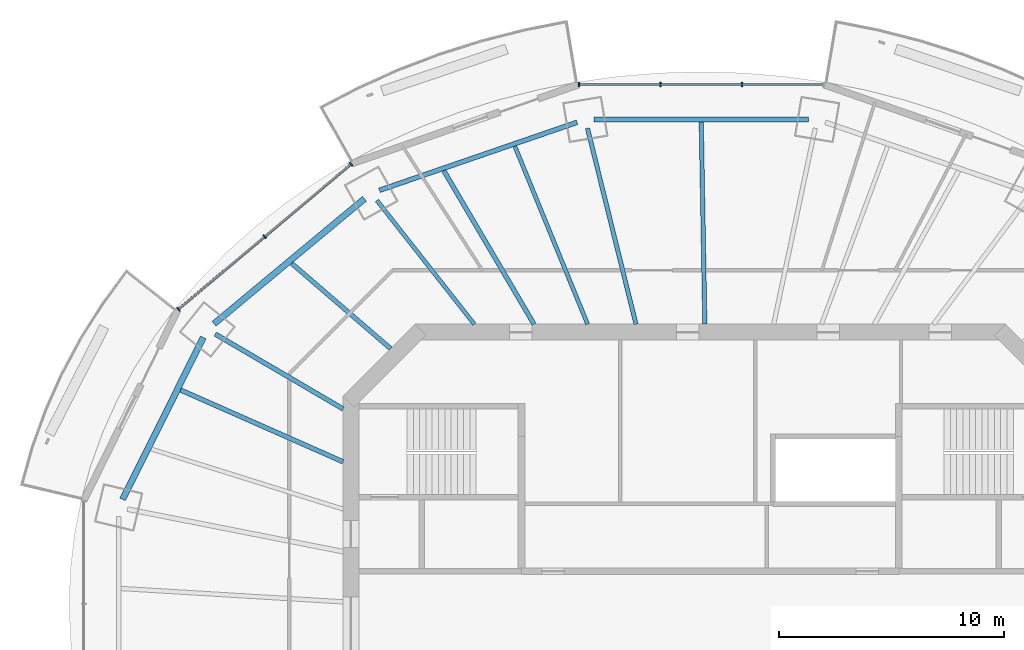
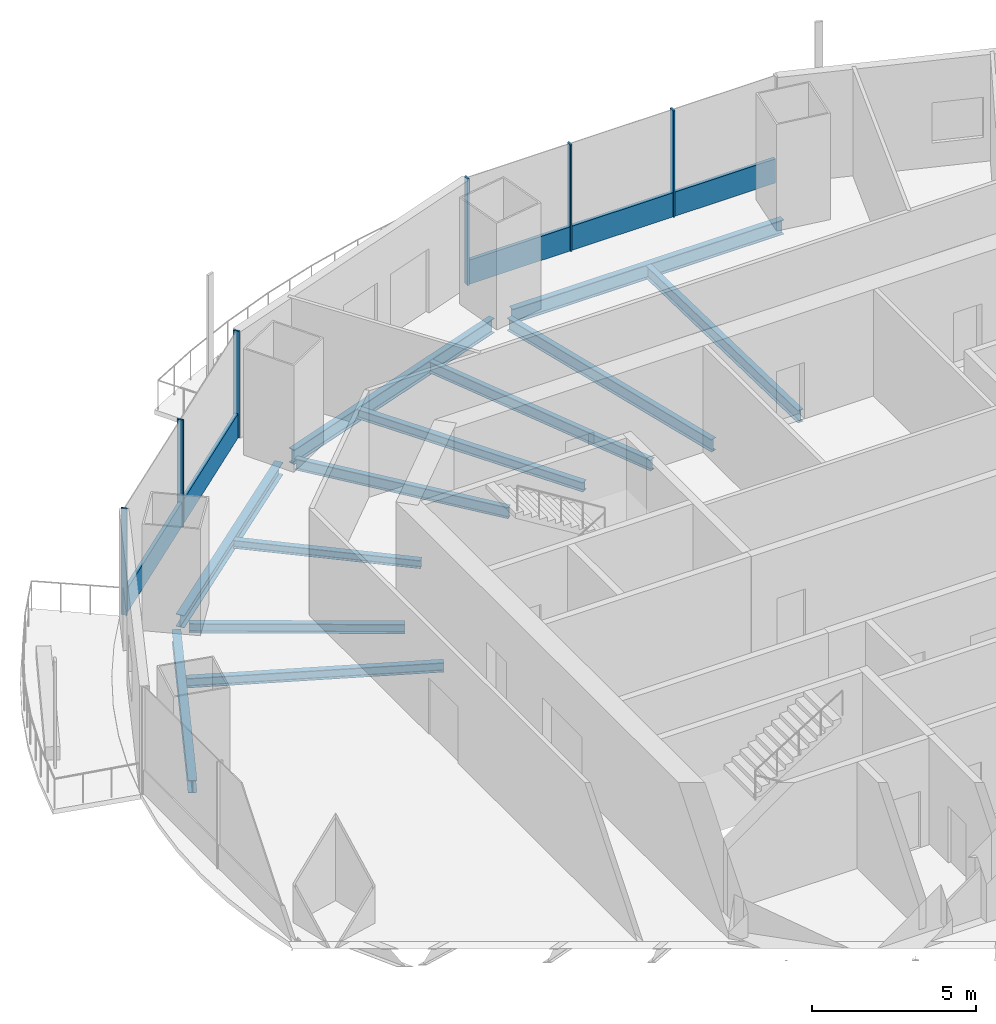
# One storey, part 5 of 16: 12 beams, 8 members, 2 elements without a shape of their own.
"""IFC4 building model written with IfcOpenShell, lengths in metres."""

from ifc_helpers import new_model, si_unit, direction, frame, origin, origin_2d, place, context, subcontext, project, spatial, rectangle, i_section, extrude, material, material_profile, profile_set, type_object, element, aggregate, save


model = new_model("IFC4")

# Units and contexts
model_context = context("Model", 3, precision=1e-05, world=origin(), true_north=direction((0.0, 1.0)))
body_context = subcontext(model_context, "Body", "Model", "MODEL_VIEW")
ifc_project = project(units=[si_unit("LENGTHUNIT", "METRE"), si_unit("AREAUNIT", "SQUARE_METRE"), si_unit("VOLUMEUNIT", "CUBIC_METRE"), si_unit("PLANEANGLEUNIT", "RADIAN"), si_unit("MASSUNIT", "GRAM", prefix="KILO")], contexts=[model_context])

# Site, building, storey
site_placement = place(None, origin())
site = spatial("IfcSite", under=ifc_project, at=site_placement, CompositionType="ELEMENT")
building_placement = place(site_placement, origin())
building = spatial("IfcBuilding", under=site, at=building_placement, Name="Marenthal Gate Tower", CompositionType="ELEMENT")
storey_placement = place(building_placement, frame((0.0, 0.0, 317.699951171875)))
storey = spatial("IfcBuildingStorey", under=building, at=storey_placement, Name="L71", CompositionType="ELEMENT", Elevation=317.699951171875)

# Curtain wall, members
ifc_material_1 = material(Name="Aluminium and glass", Category="aluminium")
curtain_wall_type = type_object("IfcCurtainWallType", Name="Curtain wall typical high", PredefinedType="NOTDEFINED", material=ifc_material_1)
curtain_wall_1_placement = place(storey_placement, origin())
curtain_wall_1 = element("IfcCurtainWall", 1, at=curtain_wall_1_placement, inside=storey, type_object=curtain_wall_type, Name="Curtain wall L71 bay 4", PredefinedType="NOTDEFINED")
ifc_material_2 = material(Name="Aluminium", Category="aluminium")
ifc_material_profile_1 = material_profile(ifc_material_2, rectangle(XDim=0.199951171875, YDim=0.06005859375, at=origin_2d()), Name="60x200 aluminium mullion")
ifc_profile_set_1 = profile_set([ifc_material_profile_1], Name="Aluminium")
member_type_1 = type_object("IfcMemberType", Name="Mullion 60x200 typical high", PredefinedType="MULLION", material=ifc_profile_set_1)
member_1_placement = place(storey_placement, frame((1.4130859375, 24.01904296875, 0.0), z_axis=(0.0, 0.0, 1.0), x_axis=(0.0, -1.0, 0.0)))
member_1 = element("IfcMember", 2, at=member_1_placement, type_object=member_type_1, Name="Mullion L71 bay 4.2", PredefinedType="MULLION", context=body_context, shape_type="SweptSolid", body=[
    extrude(rectangle(XDim=0.199951171875, YDim=0.06005859375, at=origin_2d()), origin(), (0.0, 0.0, 1.0), 3.969970703125),
])
member_2_placement = place(storey_placement, frame((-2.213134765625, 24.01904296875, 0.0), z_axis=(0.0, 0.0, 1.0), x_axis=(0.0, -1.0, 0.0)))
member_2 = element("IfcMember", 3, at=member_2_placement, type_object=member_type_1, Name="Mullion L71 bay 4.3", PredefinedType="MULLION", context=body_context, shape_type="SweptSolid", body=[
    extrude(rectangle(XDim=0.199951171875, YDim=0.06005859375, at=origin_2d()), origin(), (0.0, 0.0, 1.0), 3.969970703125),
])
member_3_placement = place(storey_placement, frame((-5.839111328125, 24.01904296875, 0.0), z_axis=(0.0, 0.0, 1.0), x_axis=(0.0, -1.0, 0.0)))
member_3 = element("IfcMember", 4, at=member_3_placement, type_object=member_type_1, Name="Mullion L71 bay 4.4", PredefinedType="MULLION", context=body_context, shape_type="SweptSolid", body=[
    extrude(rectangle(XDim=0.199951171875, YDim=0.06005859375, at=origin_2d()), origin(), (0.0, 0.0, 1.0), 3.969970703125),
])

curtain_wall_2_placement = place(storey_placement, origin())
curtain_wall_2 = element("IfcCurtainWall", 5, at=curtain_wall_2_placement, inside=storey, type_object=curtain_wall_type, Name="Curtain wall L71 bay 6", PredefinedType="NOTDEFINED")
member_4_placement = place(storey_placement, frame((-15.997802734375, 20.47998046875, 0.0), z_axis=(0.0, 0.0, 1.0), x_axis=(0.643570293048, -0.765387011848, 0.0)))
member_4 = element("IfcMember", 6, at=member_4_placement, type_object=member_type_1, Name="Mullion L71 bay 6.1", PredefinedType="MULLION", context=body_context, shape_type="SweptSolid", body=[
    extrude(rectangle(XDim=0.199951171875, YDim=0.06005859375, at=origin_2d()), origin(), (0.0, 0.0, 1.0), 3.969970703125),
])
member_5_placement = place(storey_placement, frame((-19.84228515625, 17.24755859375, 0.0), z_axis=(0.0, 0.0, 1.0), x_axis=(0.643570293048, -0.765387011848, 0.0)))
member_5 = element("IfcMember", 7, at=member_5_placement, type_object=member_type_1, Name="Mullion L71 bay 6.2", PredefinedType="MULLION", context=body_context, shape_type="SweptSolid", body=[
    extrude(rectangle(XDim=0.199951171875, YDim=0.06005859375, at=origin_2d()), origin(), (0.0, 0.0, 1.0), 3.969970703125),
])
member_6_placement = place(storey_placement, frame((-23.6865234375, 14.01513671875, 0.0), z_axis=(0.0, 0.0, 1.0), x_axis=(0.643570293048, -0.765387011848, 0.0)))
member_6 = element("IfcMember", 8, at=member_6_placement, type_object=member_type_1, Name="Mullion L71 bay 6.3", PredefinedType="MULLION", context=body_context, shape_type="SweptSolid", body=[
    extrude(rectangle(XDim=0.199951171875, YDim=0.06005859375, at=origin_2d()), origin(), (0.0, 0.0, 1.0), 3.969970703125),
])

# Member
ifc_material_3 = material(Name="Aluminium", Category="aluminium")
ifc_material_profile_2 = material_profile(ifc_material_3, rectangle(XDim=0.1201171875, YDim=0.89990234375, at=origin_2d()), Name="120x900 aluminium transom")
ifc_profile_set_2 = profile_set([ifc_material_profile_2], Name="Aluminium")
member_type_2 = type_object("IfcMemberType", Name="Transom 120x900 typical high", PredefinedType="USERDEFINED", material=ifc_profile_set_2)
member_7_placement = place(storey_placement, frame((5.00927734375, 24.01904296875, 0.449951171875), z_axis=(-1.0, 0.0, 0.0), x_axis=(0.0, -1.0, 0.0)))
member_7 = element("IfcMember", 9, at=member_7_placement, type_object=member_type_2, Name="Transom L71 bay 4", ObjectType="TRANSOM", PredefinedType="USERDEFINED", context=body_context, shape_type="SweptSolid", body=[
    extrude(rectangle(XDim=0.1201171875, YDim=0.89990234375, at=origin_2d()), origin(), (0.0, 0.0, 1.0), 10.818359375),
])

aggregate(curtain_wall_1, [member_1, member_2, member_3, member_7])

member_8_placement = place(storey_placement, frame((-16.020751953125, 20.460693359375, 0.449951171875), z_axis=(-0.765383983227, -0.643573894918, 0.0), x_axis=(0.643573894918, -0.765383983227, 0.0)))
member_8 = element("IfcMember", 10, at=member_8_placement, type_object=member_type_2, Name="Transom L71 bay 6", ObjectType="TRANSOM", PredefinedType="USERDEFINED", context=body_context, shape_type="SweptSolid", body=[
    extrude(rectangle(XDim=0.1201171875, YDim=0.89990234375, at=origin_2d()), origin(), (0.0, 0.0, 1.0), 9.9853515625),
])

aggregate(curtain_wall_2, [member_4, member_5, member_6, member_8])

# Beams
ifc_material_4 = material(Name="Steel S355", Category="steel")
ifc_material_profile_3 = material_profile(ifc_material_4, i_section(OverallWidth=0.202880859375, OverallDepth=0.302001953125, WebThickness=0.007568359375, FlangeThickness=0.01318359375, FilletRadius=0.0126953125, at=origin_2d()), Name="W310X60")
ifc_profile_set_3 = profile_set([ifc_material_profile_3], Name="Steel S355")
beam_type_1 = type_object("IfcBeamType", Name="W310X60 beam", PredefinedType="BEAM", material=ifc_profile_set_3)
beam_1_placement = place(storey_placement, frame((-18.63916015625, 16.0595703125, -0.3310546875), z_axis=(0.757583145565, -0.652738674782, 0.0), x_axis=(0.652738674782, 0.757583145565, 0.0)))
element("IfcBeam", 11, at=beam_1_placement, inside=storey, type_object=beam_type_1, Name="BM-L71-25", PredefinedType="BEAM", context=body_context, shape_type="SweptSolid", body=[
    extrude(i_section(OverallWidth=0.202880859375, OverallDepth=0.302001953125, WebThickness=0.007568359375, FlangeThickness=0.01318359375, FilletRadius=0.0126953125, at=origin_2d()), origin(), (0.0, 0.0, 1.0), 5.81689453125),
])
ifc_material_5 = material(Name="Steel S355", Category="steel")
ifc_material_profile_4 = material_profile(ifc_material_5, i_section(OverallWidth=0.205078125, OverallDepth=0.35302734375, WebThickness=0.009521484375, FlangeThickness=0.016845703125, FilletRadius=0.014892578125, at=origin_2d()), Name="W360X79")
ifc_profile_set_4 = profile_set([ifc_material_profile_4], Name="Steel S355")
beam_type_2 = type_object("IfcBeamType", Name="W360X79 beam", PredefinedType="BEAM", material=ifc_profile_set_4)
beam_2_placement = place(storey_placement, frame((-22.0419921875, 12.910888671875, -0.3564453125), z_axis=(0.862872754232, -0.505421220374, 0.0), x_axis=(0.505421220374, 0.862872754232, 0.0)))
element("IfcBeam", 12, at=beam_2_placement, inside=storey, type_object=beam_type_2, Name="BM-L71-07", PredefinedType="BEAM", context=body_context, shape_type="SweptSolid", body=[
    extrude(i_section(OverallWidth=0.205078125, OverallDepth=0.35302734375, WebThickness=0.009521484375, FlangeThickness=0.016845703125, FilletRadius=0.014892578125, at=origin_2d()), origin(), (0.0, 0.0, 1.0), 6.596435546875),
])
beam_3_placement = place(storey_placement, frame((-11.863525390625, 20.18701171875, -0.3564453125), z_axis=(0.506655469435, -0.862148615548, 0.0), x_axis=(0.862148615548, 0.506655469435, 0.0)))
element("IfcBeam", 13, at=beam_3_placement, inside=storey, type_object=beam_type_2, Name="BM-L71-24", PredefinedType="BEAM", context=body_context, shape_type="SweptSolid", body=[
    extrude(i_section(OverallWidth=0.205078125, OverallDepth=0.35302734375, WebThickness=0.009521484375, FlangeThickness=0.016845703125, FilletRadius=0.014892578125, at=origin_2d()), origin(), (0.0, 0.0, 1.0), 7.93017578125),
])
beam_4_placement = place(storey_placement, frame((-23.584716796875, 10.419189453125, -0.3564453125), z_axis=(0.914705445028, -0.404121205626, 0.0), x_axis=(0.404121205626, 0.914705445028, 0.0)))
element("IfcBeam", 14, at=beam_4_placement, inside=storey, type_object=beam_type_2, Name="BM-L71-26", PredefinedType="BEAM", context=body_context, shape_type="SweptSolid", body=[
    extrude(i_section(OverallWidth=0.205078125, OverallDepth=0.35302734375, WebThickness=0.009521484375, FlangeThickness=0.016845703125, FilletRadius=0.014892578125, at=origin_2d()), origin(), (0.0, 0.0, 1.0), 7.9091796875),
])
ifc_material_6 = material(Name="Steel S355", Category="steel")
ifc_material_profile_5 = material_profile(ifc_material_6, i_section(OverallWidth=0.180908203125, OverallDepth=0.4169921875, WebThickness=0.010986328125, FlangeThickness=0.018310546875, FilletRadius=0.01025390625, at=origin_2d()), Name="W410X85")
ifc_profile_set_5 = profile_set([ifc_material_profile_5], Name="Steel S355")
beam_type_3 = type_object("IfcBeamType", Name="W410X85 beam", PredefinedType="BEAM", material=ifc_profile_set_5)
beam_5_placement = place(storey_placement, frame((-14.842529296875, 18.8623046875, -0.388427734375), z_axis=(0.618405514295, -0.78585916034, 0.0), x_axis=(0.78585916034, 0.618405514295, 0.0)))
element("IfcBeam", 15, at=beam_5_placement, inside=storey, type_object=beam_type_3, Name="BM-L71-06", PredefinedType="BEAM", context=body_context, shape_type="SweptSolid", body=[
    extrude(i_section(OverallWidth=0.180908203125, OverallDepth=0.4169921875, WebThickness=0.010986328125, FlangeThickness=0.018310546875, FilletRadius=0.01025390625, at=origin_2d()), origin(), (0.0, 0.0, 1.0), 7.01416015625),
])
beam_6_placement = place(storey_placement, frame((-8.699462890625, 21.276611328125, -0.388427734375), z_axis=(0.378462993646, -0.925616422953, 0.0), x_axis=(0.925616422953, 0.378462993646, 0.0)))
element("IfcBeam", 16, at=beam_6_placement, inside=storey, type_object=beam_type_3, Name="BM-L71-23", PredefinedType="BEAM", context=body_context, shape_type="SweptSolid", body=[
    extrude(i_section(OverallWidth=0.180908203125, OverallDepth=0.4169921875, WebThickness=0.010986328125, FlangeThickness=0.018310546875, FilletRadius=0.01025390625, at=origin_2d()), origin(), (0.0, 0.0, 1.0), 8.5634765625),
])
ifc_material_7 = material(Name="Steel S355", Category="steel")
ifc_material_profile_6 = material_profile(ifc_material_7, i_section(OverallWidth=0.279052734375, OverallDepth=0.4619140625, WebThickness=0.0107421875, FlangeThickness=0.017333984375, FilletRadius=0.010009765625, at=origin_2d()), Name="W460X113")
ifc_profile_set_6 = profile_set([ifc_material_profile_6], Name="Steel S355")
beam_type_4 = type_object("IfcBeamType", Name="W460X113 beam", PredefinedType="BEAM", material=ifc_profile_set_6)
beam_7_placement = place(storey_placement, frame((-15.397216796875, 18.93603515625, -0.410888671875), z_axis=(-0.768988287229, -0.639262867767, 0.0), x_axis=(0.639262867767, -0.768988287229, 0.0)))
element("IfcBeam", 17, at=beam_7_placement, inside=storey, type_object=beam_type_4, Name="BM-L71-46", PredefinedType="BEAM", context=body_context, shape_type="SweptSolid", body=[
    extrude(i_section(OverallWidth=0.279052734375, OverallDepth=0.4619140625, WebThickness=0.0107421875, FlangeThickness=0.017333984375, FilletRadius=0.010009765625, at=origin_2d()), origin(), (0.0, 0.0, 1.0), 8.7080078125),
])
beam_8_placement = place(storey_placement, frame((-22.572021484375, 12.763916015625, -0.410888671875), z_axis=(-0.445989959741, -0.895037963334, 0.0), x_axis=(0.895037963334, -0.445989959741, 0.0)))
element("IfcBeam", 18, at=beam_8_placement, inside=storey, type_object=beam_type_4, Name="BM-L71-47", PredefinedType="BEAM", context=body_context, shape_type="SweptSolid", body=[
    extrude(i_section(OverallWidth=0.279052734375, OverallDepth=0.4619140625, WebThickness=0.0107421875, FlangeThickness=0.017333984375, FilletRadius=0.010009765625, at=origin_2d()), origin(), (0.0, 0.0, 1.0), 8.0634765625),
])
ifc_material_8 = material(Name="Steel S355", Category="steel")
ifc_material_profile_7 = material_profile(ifc_material_8, i_section(OverallWidth=0.193115234375, OverallDepth=0.467041015625, WebThickness=0.011474609375, FlangeThickness=0.01904296875, FilletRadius=0.010009765625, at=origin_2d()), Name="W460X97")
ifc_profile_set_7 = profile_set([ifc_material_profile_7], Name="Steel S355")
beam_type_5 = type_object("IfcBeamType", Name="W460X97 beam", PredefinedType="BEAM", material=ifc_profile_set_7)
beam_9_placement = place(storey_placement, frame((-5.464111328125, 22.078369140625, -0.413330078125), z_axis=(0.240241397057, -0.970713176556, 0.0), x_axis=(0.970713176556, 0.240241397057, 0.0)))
element("IfcBeam", 19, at=beam_9_placement, inside=storey, type_object=beam_type_5, Name="BM-L71-05", PredefinedType="BEAM", context=body_context, shape_type="SweptSolid", body=[
    extrude(i_section(OverallWidth=0.193115234375, OverallDepth=0.467041015625, WebThickness=0.011474609375, FlangeThickness=0.01904296875, FilletRadius=0.010009765625, at=origin_2d()), origin(), (0.0, 0.0, 1.0), 8.99169921875),
])
beam_10_placement = place(storey_placement, frame((-0.398193359375, 22.36328125, -0.413330078125), z_axis=(0.017793379577, -0.99984168529, 0.0), x_axis=(0.99984168529, 0.017793379577, 0.0)))
element("IfcBeam", 20, at=beam_10_placement, inside=storey, type_object=beam_type_5, Name="BM-L71-22", PredefinedType="BEAM", context=body_context, shape_type="SweptSolid", body=[
    extrude(i_section(OverallWidth=0.193115234375, OverallDepth=0.467041015625, WebThickness=0.011474609375, FlangeThickness=0.01904296875, FilletRadius=0.010009765625, at=origin_2d()), origin(), (0.0, 0.0, 1.0), 9.0146484375),
])
ifc_material_9 = material(Name="Steel S355", Category="steel")
ifc_material_profile_8 = material_profile(ifc_material_9, i_section(OverallWidth=0.2119140625, OverallDepth=0.5439453125, WebThickness=0.01318359375, FlangeThickness=0.021240234375, FilletRadius=0.0126953125, at=origin_2d()), Name="W530X123")
ifc_profile_set_8 = profile_set([ifc_material_profile_8], Name="Steel S355")
beam_type_6 = type_object("IfcBeamType", Name="W530X123 beam", PredefinedType="BEAM", material=ifc_profile_set_8)
beam_11_placement = place(storey_placement, frame((4.3740234375, 22.469482421875, -0.451904296875), z_axis=(-1.0, 0.0, 0.0), x_axis=(0.0, -1.0, 0.0)))
element("IfcBeam", 21, at=beam_11_placement, inside=storey, type_object=beam_type_6, Name="BM-L71-44", PredefinedType="BEAM", context=body_context, shape_type="SweptSolid", body=[
    extrude(i_section(OverallWidth=0.2119140625, OverallDepth=0.5439453125, WebThickness=0.01318359375, FlangeThickness=0.021240234375, FilletRadius=0.0126953125, at=origin_2d()), origin(), (0.0, 0.0, 1.0), 9.548095703125),
])
beam_12_placement = place(storey_placement, frame((-5.92724609375, 22.34326171875, -0.451904296875), z_axis=(-0.945516412895, -0.325574435338, 0.0), x_axis=(0.325574435338, -0.945516412895, 0.0)))
element("IfcBeam", 22, at=beam_12_placement, inside=storey, type_object=beam_type_6, Name="BM-L71-45", PredefinedType="BEAM", context=body_context, shape_type="SweptSolid", body=[
    extrude(i_section(OverallWidth=0.2119140625, OverallDepth=0.5439453125, WebThickness=0.01318359375, FlangeThickness=0.021240234375, FilletRadius=0.0126953125, at=origin_2d()), origin(), (0.0, 0.0, 1.0), 9.309814453125),
])

save(model, "model.ifc")
